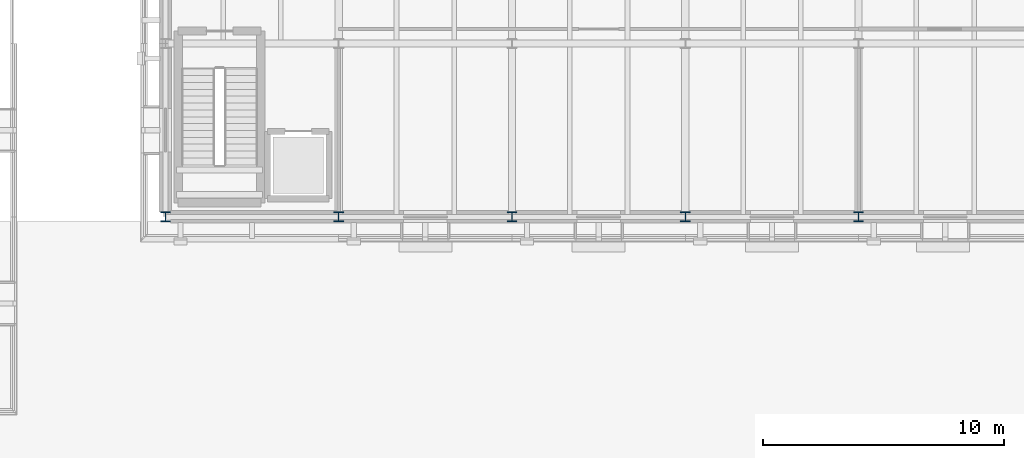
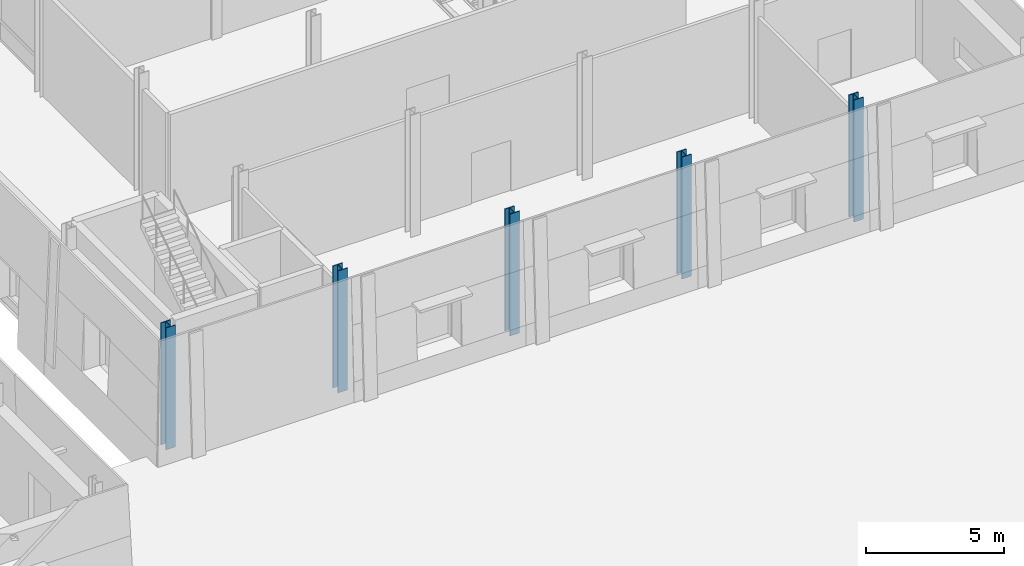
# One storey, part 6 of 120: 5 columns.
"""IFC4 building model written with IfcOpenShell, lengths in metres."""

from ifc_helpers import new_model, si_unit, direction, frame, origin, origin_2d, place, context, subcontext, project, spatial, i_section, extrude, material, material_profile, profile_set, type_object, element, save


model = new_model("IFC4")

# Units and contexts
model_context = context("Model", 3, precision=1e-05, world=origin(), true_north=direction((0.0, 1.0)))
body_context = subcontext(model_context, "Body", "Model", "MODEL_VIEW")
ifc_project = project(units=[si_unit("LENGTHUNIT", "METRE"), si_unit("AREAUNIT", "SQUARE_METRE"), si_unit("VOLUMEUNIT", "CUBIC_METRE"), si_unit("PLANEANGLEUNIT", "RADIAN"), si_unit("MASSUNIT", "GRAM", prefix="KILO")], contexts=[model_context])

# Site, building, storey
site_placement = place(None, origin())
site = spatial("IfcSite", under=ifc_project, at=site_placement, CompositionType="ELEMENT")
building_placement = place(site_placement, origin())
building = spatial("IfcBuilding", under=site, at=building_placement, Name="Narikvali Park Central Library", CompositionType="ELEMENT")
storey_placement = place(building_placement, origin())
storey = spatial("IfcBuildingStorey", under=building, at=storey_placement, Name="L00", CompositionType="ELEMENT", Elevation=0.0)

# Columns
ifc_material = material(Name="Steel S355", Category="steel")
ifc_material_profile = material_profile(ifc_material, i_section(OverallWidth=0.40087890625, OverallDepth=0.39892578125, WebThickness=0.0185546875, FlangeThickness=0.029052734375, FilletRadius=0.014892578125, at=origin_2d()), Name="HD 400x314")
ifc_profile_set = profile_set([ifc_material_profile], Name="Steel S355")
column_type = type_object("IfcColumnType", Name="Steel Column HD400x314", PredefinedType="COLUMN", material=ifc_profile_set)
for number, where, z_axis, x_axis, name in (
    (1, (64.800048828125, 57.60009765625, 0.0), (0.0, 0.0, 1.0), (1.0, 0.0, 0.0), "V1 L00 Column (64.8,57.6)"),
    (2, (72.0, 57.60009765625, 0.0), (0.0, 0.0, 1.0), (1.0, 0.0, 0.0), "V1 L00 Column (72.0,57.6)"),
    (3, (79.199951171875, 57.60009765625, 0.0), (0.0, 0.0, 1.0), (1.0, 0.0, 0.0), "V1 L00 Column (79.2,57.6)"),
    (4, (86.39990234375, 57.60009765625, 0.0), (0.0, 0.0, 1.0), (1.0, 0.0, 0.0), "V1 L00 Column (86.4,57.6)"),
    (5, (93.60009765625, 57.60009765625, 0.0), (0.0, 0.0, 1.0), (1.0, 0.0, 0.0), "V1 L00 Column (93.6,57.6)"),
):
    element("IfcColumn", number, at=place(storey_placement, frame(where, z_axis=z_axis, x_axis=x_axis)), inside=storey, type_object=column_type, Name=name, PredefinedType="COLUMN", context=body_context, shape_type="SweptSolid", body=[
        extrude(i_section(OverallWidth=0.40087890625, OverallDepth=0.39892578125, WebThickness=0.0185546875, FlangeThickness=0.029052734375, FilletRadius=0.014892578125, at=origin_2d()), origin(), (0.0, 0.0, 1.0), 5.39990234375),
    ])

save(model, "model.ifc")
